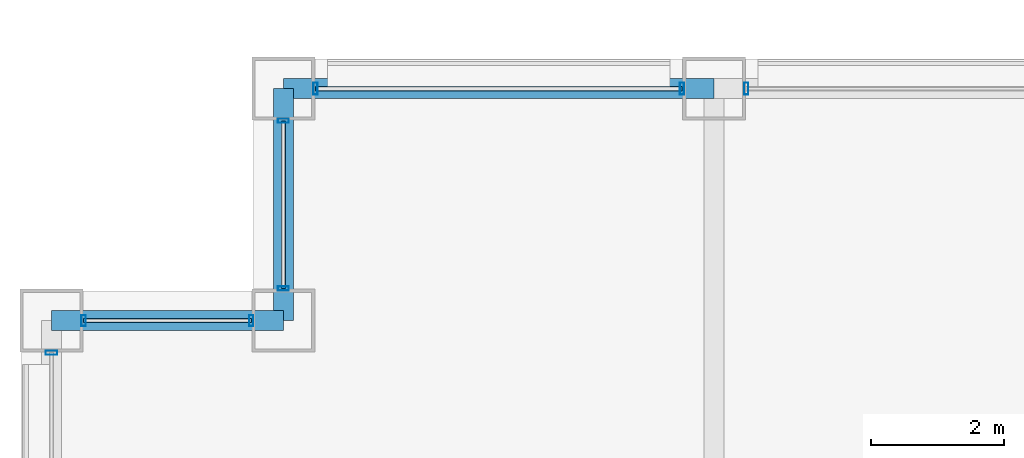
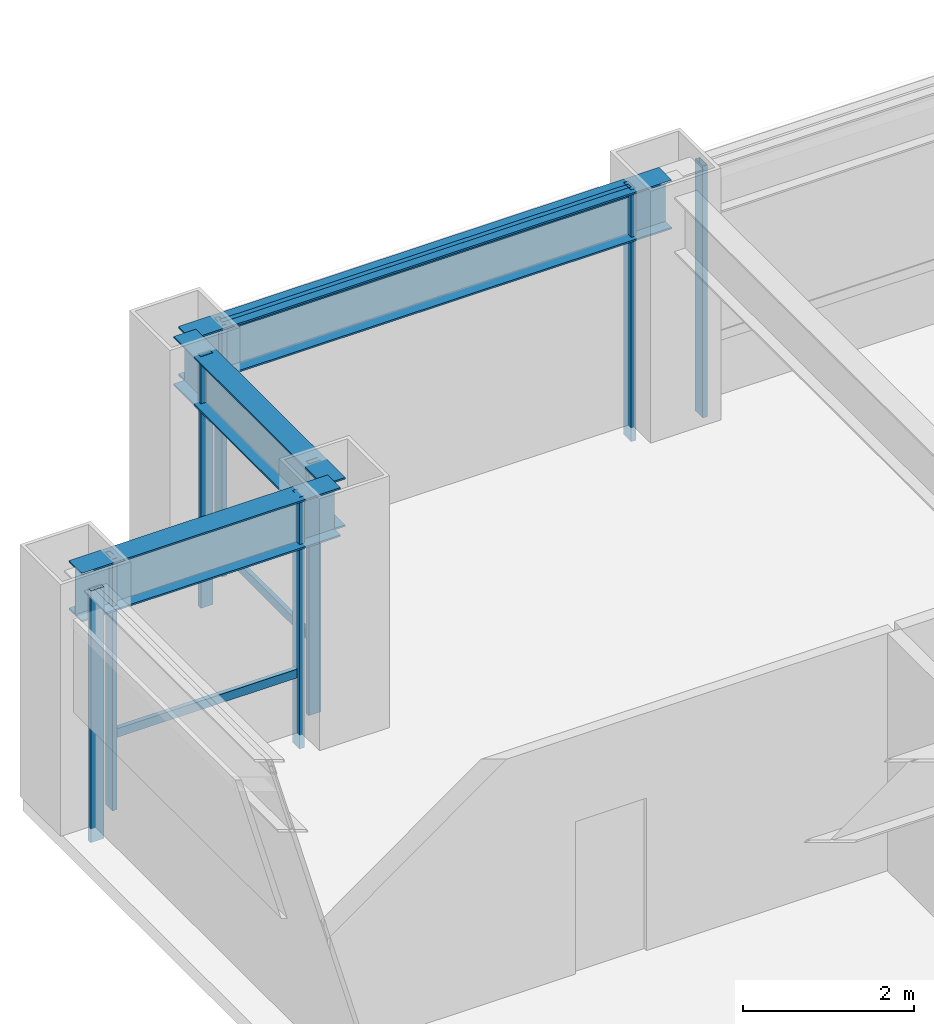
# One storey, part 17 of 31: 11 members, 3 beams, 5 elements without a shape of their own.
"""IFC4 building model written with IfcOpenShell, lengths in metres."""

from ifc_helpers import new_model, si_unit, direction, frame, origin, origin_2d, place, context, subcontext, project, spatial, hollow_rectangle, i_section, extrude, material, layer, layer_set, material_profile, profile_set, type_object, element, aggregate, save


model = new_model("IFC4")

# Units and contexts
model_context = context("Model", 3, precision=1e-05, world=origin(), true_north=direction((0.0, 1.0)))
body_context = subcontext(model_context, "Body", "Model", "MODEL_VIEW")
ifc_project = project(units=[si_unit("LENGTHUNIT", "METRE"), si_unit("AREAUNIT", "SQUARE_METRE"), si_unit("VOLUMEUNIT", "CUBIC_METRE"), si_unit("PLANEANGLEUNIT", "RADIAN"), si_unit("MASSUNIT", "GRAM", prefix="KILO")], contexts=[model_context])

# Site, building, storey
site_placement = place(None, origin())
site = spatial("IfcSite", under=ifc_project, at=site_placement, CompositionType="ELEMENT")
building_placement = place(site_placement, origin())
building = spatial("IfcBuilding", under=site, at=building_placement, Name="Brelmoor Portico Tower", CompositionType="ELEMENT")
storey_placement = place(building_placement, frame((0.0, 0.0, 27.60009765625)))
storey = spatial("IfcBuildingStorey", under=building, at=storey_placement, Name="L06", CompositionType="ELEMENT", Elevation=27.60009765625)

# Beams
ifc_material_1 = material(Name="Steel Q355B", Category="steel")
ifc_material_profile_1 = material_profile(ifc_material_1, i_section(OverallWidth=0.300048828125, OverallDepth=0.699951171875, WebThickness=0.012939453125, FlangeThickness=0.02392578125, at=origin_2d()), Name="HN 700x300x13x24")
ifc_profile_set_1 = profile_set([ifc_material_profile_1], Name="Steel Q355B")
beam_type = type_object("IfcBeamType", Name="BM-SP-700", PredefinedType="SPANDREL", material=ifc_profile_set_1)
beam_1_placement = place(storey_placement, frame((-24.550048828125, 18.050048828125, 3.0498046875), z_axis=(1.0, 0.0, 0.0), x_axis=(0.0, 1.0, 0.0)))
element("IfcBeam", 1, at=beam_1_placement, inside=storey, type_object=beam_type, Name="L06 Perimeter Spandrel Beam SP-08", PredefinedType="SPANDREL", context=body_context, shape_type="SweptSolid", body=[
    extrude(i_section(OverallWidth=0.300048828125, OverallDepth=0.699951171875, WebThickness=0.012939453125, FlangeThickness=0.02392578125, at=origin_2d()), origin(), (0.0, 0.0, 1.0), 3.5),
])
beam_2_placement = place(storey_placement, frame((-21.050048828125, 21.550048828125, 3.0498046875), z_axis=(1.0, 0.0, 0.0), x_axis=(0.0, 1.0, 0.0)))
element("IfcBeam", 2, at=beam_2_placement, inside=storey, type_object=beam_type, Name="L06 Perimeter Spandrel Beam SP-10", PredefinedType="SPANDREL", context=body_context, shape_type="SweptSolid", body=[
    extrude(i_section(OverallWidth=0.300048828125, OverallDepth=0.699951171875, WebThickness=0.012939453125, FlangeThickness=0.02392578125, at=origin_2d()), origin(), (0.0, 0.0, 1.0), 6.5),
])
beam_3_placement = place(storey_placement, frame((-21.050048828125, 18.050048828125, 3.0498046875), z_axis=(0.0, 1.0, 0.0), x_axis=(-1.0, 0.0, 0.0)))
element("IfcBeam", 3, at=beam_3_placement, inside=storey, type_object=beam_type, Name="L06 Perimeter Spandrel Beam SP-19", PredefinedType="SPANDREL", context=body_context, shape_type="SweptSolid", body=[
    extrude(i_section(OverallWidth=0.300048828125, OverallDepth=0.699951171875, WebThickness=0.012939453125, FlangeThickness=0.02392578125, at=origin_2d()), origin(), (0.0, 0.0, 1.0), 3.5),
])

# Curtain wall, members
ifc_material_2 = material(Name="Anodised Aluminium Alloy 6063-T6", Category="aluminium")
ifc_layer_1 = layer(ifc_material_2, 0.179931640625)
ifc_layer_set_1 = layer_set([ifc_layer_1], Name="Anodised Aluminium Alloy 6063-T6")
curtain_wall_type_1 = type_object("IfcCurtainWallType", Name="CW-NOTCH-CHAMFER", PredefinedType="NOTDEFINED", material=ifc_layer_set_1)
curtain_wall_1_placement = place(storey_placement, origin())
curtain_wall_1 = element("IfcCurtainWall", 4, at=curtain_wall_1_placement, inside=storey, type_object=curtain_wall_type_1, Name="L06 Curtain Wall CWN-L06-NWH", PredefinedType="NOTDEFINED")
ifc_material_profile_2 = material_profile(ifc_material_2, hollow_rectangle(XDim=0.06494140625, YDim=0.1650390625, WallThickness=0.00390625, at=origin_2d()), Name="ALU MULLION 65x165")
ifc_profile_set_2 = profile_set([ifc_material_profile_2], Name="Anodised Aluminium Alloy 6063-T6")
member_type_1 = type_object("IfcMemberType", Name="MB-CW-MULL-165", PredefinedType="MULLION", material=ifc_profile_set_2)
member_1_placement = place(storey_placement, frame((-24.06494140625, 18.050048828125, -0.2001953125), z_axis=(0.0, 0.0, 1.0), x_axis=(1.0, 0.0, 0.0)))
member_1 = element("IfcMember", 5, at=member_1_placement, type_object=member_type_1, Name="CWN-L06-NWH Mullion 00", PredefinedType="MULLION", context=body_context, shape_type="SweptSolid", body=[
    extrude(hollow_rectangle(XDim=0.06494140625, YDim=0.1650390625, WallThickness=0.00390625, at=origin_2d()), origin(), (0.0, 0.0, 1.0), 3.60009765625),
])
member_2_placement = place(storey_placement, frame((-21.534912109375, 18.050048828125, -0.2001953125), z_axis=(0.0, 0.0, 1.0), x_axis=(1.0, 0.0, 0.0)))
member_2 = element("IfcMember", 6, at=member_2_placement, type_object=member_type_1, Name="CWN-L06-NWH Mullion 01", PredefinedType="MULLION", context=body_context, shape_type="SweptSolid", body=[
    extrude(hollow_rectangle(XDim=0.06494140625, YDim=0.1650390625, WallThickness=0.00390625, at=origin_2d()), origin(), (0.0, 0.0, 1.0), 3.60009765625),
])

curtain_wall_2_placement = place(storey_placement, origin())
curtain_wall_2 = element("IfcCurtainWall", 7, at=curtain_wall_2_placement, inside=storey, type_object=curtain_wall_type_1, Name="L06 Curtain Wall CWN-L06-NWV", PredefinedType="NOTDEFINED")
member_3_placement = place(storey_placement, frame((-21.050048828125, 18.534912109375, -0.2001953125), z_axis=(0.0, 0.0, 1.0), x_axis=(0.0, 1.0, 0.0)))
member_3 = element("IfcMember", 8, at=member_3_placement, type_object=member_type_1, Name="CWN-L06-NWV Mullion 00", PredefinedType="MULLION", context=body_context, shape_type="SweptSolid", body=[
    extrude(hollow_rectangle(XDim=0.06494140625, YDim=0.1650390625, WallThickness=0.00390625, at=origin_2d()), origin(), (0.0, 0.0, 1.0), 3.60009765625),
])
member_4_placement = place(storey_placement, frame((-21.050048828125, 21.06494140625, -0.2001953125), z_axis=(0.0, 0.0, 1.0), x_axis=(0.0, 1.0, 0.0)))
member_4 = element("IfcMember", 9, at=member_4_placement, type_object=member_type_1, Name="CWN-L06-NWV Mullion 01", PredefinedType="MULLION", context=body_context, shape_type="SweptSolid", body=[
    extrude(hollow_rectangle(XDim=0.06494140625, YDim=0.1650390625, WallThickness=0.00390625, at=origin_2d()), origin(), (0.0, 0.0, 1.0), 3.60009765625),
])

ifc_layer_2 = layer(ifc_material_2, 0.179931640625)
ifc_layer_set_2 = layer_set([ifc_layer_2], Name="Anodised Aluminium Alloy 6063-T6")
curtain_wall_type_2 = type_object("IfcCurtainWallType", Name="CW-TOWER-Z1-XB", PredefinedType="NOTDEFINED", material=ifc_layer_set_2)
curtain_wall_3_placement = place(storey_placement, origin())
curtain_wall_3 = element("IfcCurtainWall", 10, at=curtain_wall_3_placement, inside=storey, type_object=curtain_wall_type_2, Name="L06 Curtain Wall CW-L06-2L-1", PredefinedType="NOTDEFINED")
ifc_material_profile_3 = material_profile(ifc_material_2, hollow_rectangle(XDim=0.06494140625, YDim=0.179931640625, WallThickness=0.00390625, at=origin_2d()), Name="ALU MULLION 65x180")
ifc_profile_set_3 = profile_set([ifc_material_profile_3], Name="Anodised Aluminium Alloy 6063-T6")
member_type_2 = type_object("IfcMemberType", Name="MB-CW-MULL-180", PredefinedType="MULLION", material=ifc_profile_set_3)
member_5_placement = place(storey_placement, frame((-20.56494140625, 21.550048828125, -0.2001953125), z_axis=(0.0, 0.0, 1.0), x_axis=(1.0, 0.0, 0.0)))
member_5 = element("IfcMember", 11, at=member_5_placement, type_object=member_type_2, Name="CW-L06-2L-1 Mullion 00", PredefinedType="MULLION", context=body_context, shape_type="SweptSolid", body=[
    extrude(hollow_rectangle(XDim=0.06494140625, YDim=0.179931640625, WallThickness=0.00390625, at=origin_2d()), origin(), (0.0, 0.0, 1.0), 3.60009765625),
])
member_6_placement = place(storey_placement, frame((-15.034912109375, 21.550048828125, -0.2001953125), z_axis=(0.0, 0.0, 1.0), x_axis=(1.0, 0.0, 0.0)))
member_6 = element("IfcMember", 12, at=member_6_placement, type_object=member_type_2, Name="CW-L06-2L-1 Mullion 01", PredefinedType="MULLION", context=body_context, shape_type="SweptSolid", body=[
    extrude(hollow_rectangle(XDim=0.06494140625, YDim=0.179931640625, WallThickness=0.00390625, at=origin_2d()), origin(), (0.0, 0.0, 1.0), 3.60009765625),
])

# Curtain wall, member
ifc_layer_3 = layer(ifc_material_2, 0.179931640625)
ifc_layer_set_3 = layer_set([ifc_layer_3], Name="Anodised Aluminium Alloy 6063-T6")
curtain_wall_type_3 = type_object("IfcCurtainWallType", Name="CW-TOWER-Z1", PredefinedType="NOTDEFINED", material=ifc_layer_set_3)
curtain_wall_4_placement = place(storey_placement, origin())
curtain_wall_4 = element("IfcCurtainWall", 13, at=curtain_wall_4_placement, inside=storey, type_object=curtain_wall_type_3, Name="L06 Curtain Wall CW-L06-2L-2", PredefinedType="NOTDEFINED")
member_7_placement = place(storey_placement, frame((-14.06494140625, 21.550048828125, -0.2001953125), z_axis=(0.0, 0.0, 1.0), x_axis=(1.0, 0.0, 0.0)))
member_7 = element("IfcMember", 14, at=member_7_placement, type_object=member_type_2, Name="CW-L06-2L-2 Mullion 00", PredefinedType="MULLION", context=body_context, shape_type="SweptSolid", body=[
    extrude(hollow_rectangle(XDim=0.06494140625, YDim=0.179931640625, WallThickness=0.00390625, at=origin_2d()), origin(), (0.0, 0.0, 1.0), 3.60009765625),
])
aggregate(curtain_wall_4, [member_7])

curtain_wall_5_placement = place(storey_placement, origin())
curtain_wall_5 = element("IfcCurtainWall", 15, at=curtain_wall_5_placement, inside=storey, type_object=curtain_wall_type_2, Name="L06 Curtain Wall CW-L06-03-3", PredefinedType="NOTDEFINED")
member_8_placement = place(storey_placement, frame((-24.550048828125, 17.56494140625, -0.2001953125), z_axis=(0.0, 0.0, 1.0), x_axis=(0.0, 1.0, 0.0)))
member_8 = element("IfcMember", 16, at=member_8_placement, type_object=member_type_2, Name="CW-L06-03-3 Mullion 01", PredefinedType="MULLION", context=body_context, shape_type="SweptSolid", body=[
    extrude(hollow_rectangle(XDim=0.06494140625, YDim=0.179931640625, WallThickness=0.00390625, at=origin_2d()), origin(), (0.0, 0.0, 1.0), 3.60009765625),
])
aggregate(curtain_wall_5, [member_8])

# Member
ifc_material_profile_4 = material_profile(ifc_material_2, hollow_rectangle(XDim=0.06005859375, YDim=0.125, WallThickness=0.00341796875, at=origin_2d()), Name="ALU TRANSOM 60x125")
ifc_profile_set_4 = profile_set([ifc_material_profile_4], Name="Anodised Aluminium Alloy 6063-T6")
member_type_3 = type_object("IfcMemberType", Name="MB-CW-TRAN-125", PredefinedType="USERDEFINED", material=ifc_profile_set_4)
member_9_placement = place(storey_placement, frame((-24.06494140625, 18.050048828125, 0.849853515625), z_axis=(1.0, 0.0, 0.0), x_axis=(0.0, 1.0, 0.0)))
member_9 = element("IfcMember", 17, at=member_9_placement, type_object=member_type_3, Name="CWN-L06-NWH Transom 1-00", ObjectType="TRANSOM", PredefinedType="USERDEFINED", context=body_context, shape_type="SweptSolid", body=[
    extrude(hollow_rectangle(XDim=0.06005859375, YDim=0.125, WallThickness=0.00341796875, at=origin_2d()), origin(), (0.0, 0.0, 1.0), 2.530029296875),
])

aggregate(curtain_wall_1, [member_1, member_2, member_9])

member_10_placement = place(storey_placement, frame((-21.050048828125, 18.534912109375, 0.849853515625), z_axis=(0.0, 1.0, 0.0), x_axis=(-1.0, 0.0, 0.0)))
member_10 = element("IfcMember", 18, at=member_10_placement, type_object=member_type_3, Name="CWN-L06-NWV Transom 1-00", ObjectType="TRANSOM", PredefinedType="USERDEFINED", context=body_context, shape_type="SweptSolid", body=[
    extrude(hollow_rectangle(XDim=0.06005859375, YDim=0.125, WallThickness=0.00341796875, at=origin_2d()), origin(), (0.0, 0.0, 1.0), 2.530029296875),
])

aggregate(curtain_wall_2, [member_3, member_4, member_10])

ifc_material_profile_5 = material_profile(ifc_material_2, hollow_rectangle(XDim=0.06494140625, YDim=0.139892578125, WallThickness=0.00390625, at=origin_2d()), Name="ALU TRANSOM 65x140")
ifc_profile_set_5 = profile_set([ifc_material_profile_5], Name="Anodised Aluminium Alloy 6063-T6")
member_type_4 = type_object("IfcMemberType", Name="MB-CW-TRAN-140", PredefinedType="USERDEFINED", material=ifc_profile_set_5)
member_11_placement = place(storey_placement, frame((-20.56494140625, 21.550048828125, 3.329833984375), z_axis=(1.0, 0.0, 0.0), x_axis=(0.0, 1.0, 0.0)))
member_11 = element("IfcMember", 19, at=member_11_placement, type_object=member_type_4, Name="CW-L06-2L-1 Transom 1-00", ObjectType="TRANSOM", PredefinedType="USERDEFINED", context=body_context, shape_type="SweptSolid", body=[
    extrude(hollow_rectangle(XDim=0.06494140625, YDim=0.139892578125, WallThickness=0.00390625, at=origin_2d()), origin(), (0.0, 0.0, 1.0), 5.530029296875),
])

aggregate(curtain_wall_3, [member_5, member_6, member_11])

save(model, "model.ifc")
